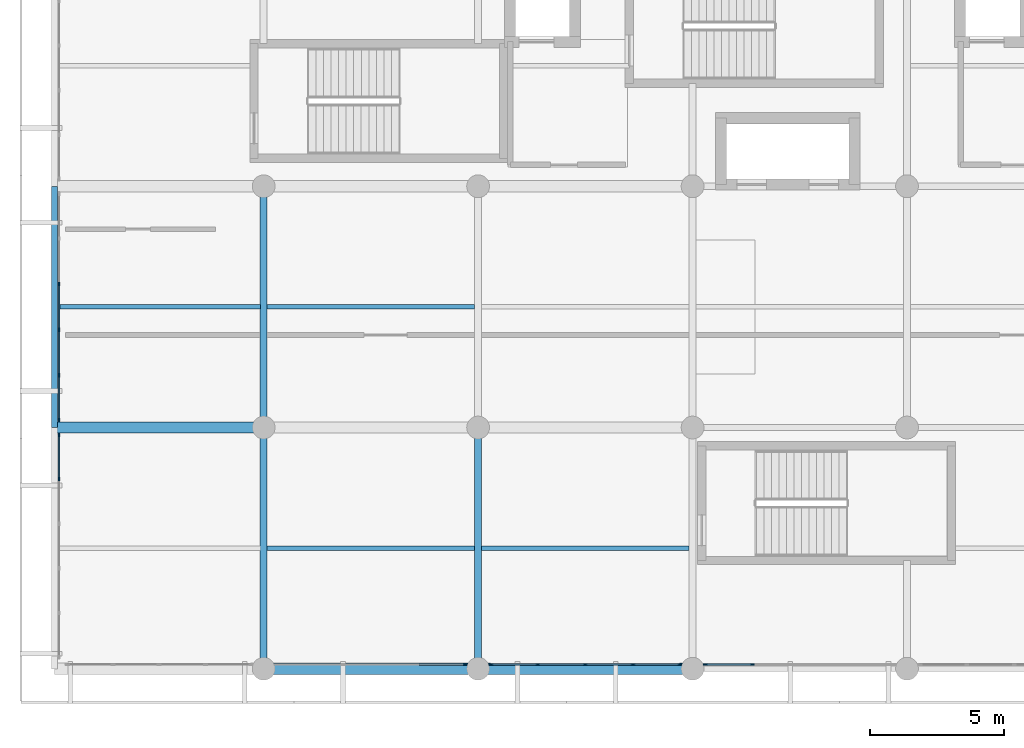
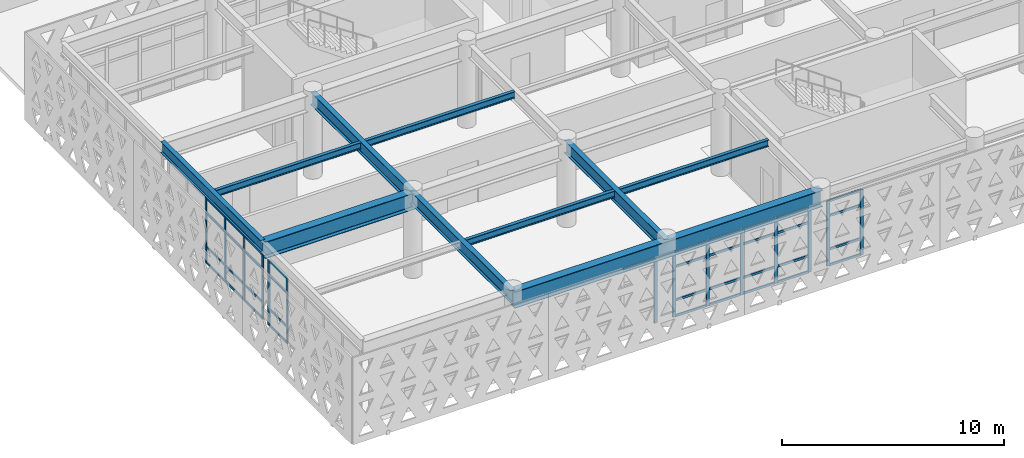
# One storey, part 7 of 54: 51 members, 10 beams, 5 elements without a shape of their own.
"""IFC4 building model written with IfcOpenShell, lengths in metres."""

from ifc_helpers import new_model, si_unit, direction, frame, origin, origin_2d, place, context, subcontext, project, spatial, rectangle, i_section, extrude, material, layer, layer_set, material_profile, profile_set, type_object, element, aggregate, save


model = new_model("IFC4")

# Units and contexts
model_context = context("Model", 3, precision=1e-05, world=origin(), true_north=direction((0.0, 1.0)))
body_context = subcontext(model_context, "Body", "Model", "MODEL_VIEW")
ifc_project = project(units=[si_unit("LENGTHUNIT", "METRE"), si_unit("AREAUNIT", "SQUARE_METRE"), si_unit("VOLUMEUNIT", "CUBIC_METRE"), si_unit("PLANEANGLEUNIT", "RADIAN"), si_unit("MASSUNIT", "GRAM", prefix="KILO")], contexts=[model_context])

# Site, building, storey
site_placement = place(None, origin())
site = spatial("IfcSite", under=ifc_project, at=site_placement, CompositionType="ELEMENT")
building_placement = place(site_placement, origin())
building = spatial("IfcBuilding", under=site, at=building_placement, Name="Tlacozan Convention Centre", CompositionType="ELEMENT")
storey_placement = place(building_placement, frame((0.0, 0.0, 11.39990234375)))
storey = spatial("IfcBuildingStorey", under=building, at=storey_placement, Name="L02", CompositionType="ELEMENT", Elevation=11.39990234375)

# Beam
ifc_material_1 = material(Name="Steel ASTM A992 Grade 50", Category="steel")
ifc_material_profile_1 = material_profile(ifc_material_1, i_section(OverallWidth=0.41796875, OverallDepth=0.912109375, WebThickness=0.019287109375, FlangeThickness=0.031982421875, FilletRadius=0.02001953125, at=origin_2d()), Name="IR 914x342.0")
ifc_profile_set_1 = profile_set([ifc_material_profile_1], Name="Steel ASTM A992 Grade 50")
beam_type_1 = type_object("IfcBeamType", Name="Cantilever Girder IR 914x342", PredefinedType="BEAM", material=ifc_profile_set_1)
beam_1_placement = place(storey_placement, frame((8.0, 9.0, 4.093994140625), z_axis=(-1.0, 0.0, 0.0), x_axis=(0.0, -1.0, 0.0)))
element("IfcBeam", 1, at=beam_1_placement, inside=storey, type_object=beam_type_1, Name="L02 Cantilever Girder IR 914x342 453", PredefinedType="BEAM", context=body_context, shape_type="SweptSolid", body=[
    extrude(i_section(OverallWidth=0.41796875, OverallDepth=0.912109375, WebThickness=0.019287109375, FlangeThickness=0.031982421875, FilletRadius=0.02001953125, at=origin_2d()), origin(), (0.0, 0.0, 1.0), 7.800048828125),
])

# Curtain wall, members
ifc_material_2 = material(Name="Dark Bronze Anodised Aluminium", Category="aluminium")
ifc_layer_1 = layer(ifc_material_2, 0.159912109375)
ifc_layer_set_1 = layer_set([ifc_layer_1], Name="Dark Bronze Anodised Aluminium")
curtain_wall_type_1 = type_object("IfcCurtainWallType", Name="Unitised Congress Gable End CW06", PredefinedType="NOTDEFINED", material=ifc_layer_set_1)
curtain_wall_1_placement = place(storey_placement, origin())
curtain_wall_1 = element("IfcCurtainWall", 2, at=curtain_wall_1_placement, inside=storey, type_object=curtain_wall_type_1, Name="L02 CW-06 Run 96", PredefinedType="NOTDEFINED")
ifc_material_profile_2 = material_profile(ifc_material_2, rectangle(XDim=0.06005859375, YDim=0.139892578125, at=origin_2d()), Name="ALU 60x140")
ifc_profile_set_2 = profile_set([ifc_material_profile_2], Name="Dark Bronze Anodised Aluminium")
member_type_1 = type_object("IfcMemberType", Name="Curtain Wall Light Mullion 60x140", PredefinedType="MULLION", material=ifc_profile_set_2)
member_1_placement = place(storey_placement, frame((0.360107421875, 7.08203125, 0.0), z_axis=(0.0, 0.0, 1.0), x_axis=(-1.0, 0.0, 0.0)))
member_1 = element("IfcMember", 3, at=member_1_placement, type_object=member_type_1, Name="CW-06 mullion 5", PredefinedType="MULLION", context=body_context, shape_type="SweptSolid", body=[
    extrude(rectangle(XDim=0.06005859375, YDim=0.139892578125, at=origin_2d()), origin(), (0.0, 0.0, 1.0), 3.590087890625),
])
member_2_placement = place(storey_placement, frame((0.360107421875, 8.719970703125, 0.0), z_axis=(0.0, 0.0, 1.0), x_axis=(-1.0, 0.0, 0.0)))
member_2 = element("IfcMember", 4, at=member_2_placement, type_object=member_type_1, Name="CW-06 mullion 6", PredefinedType="MULLION", context=body_context, shape_type="SweptSolid", body=[
    extrude(rectangle(XDim=0.06005859375, YDim=0.139892578125, at=origin_2d()), origin(), (0.0, 0.0, 1.0), 3.590087890625),
])

curtain_wall_2_placement = place(storey_placement, origin())
curtain_wall_2 = element("IfcCurtainWall", 5, at=curtain_wall_2_placement, inside=storey, type_object=curtain_wall_type_1, Name="L02 CW-06 Run 98", PredefinedType="NOTDEFINED")
member_3_placement = place(storey_placement, frame((0.360107421875, 9.280029296875, 0.0), z_axis=(0.0, 0.0, 1.0), x_axis=(-1.0, 0.0, 0.0)))
member_3 = element("IfcMember", 6, at=member_3_placement, type_object=member_type_1, Name="CW-06 mullion 1", PredefinedType="MULLION", context=body_context, shape_type="SweptSolid", body=[
    extrude(rectangle(XDim=0.06005859375, YDim=0.139892578125, at=origin_2d()), origin(), (0.0, 0.0, 1.0), 3.590087890625),
])
member_4_placement = place(storey_placement, frame((0.360107421875, 10.949951171875, 0.0), z_axis=(0.0, 0.0, 1.0), x_axis=(-1.0, 0.0, 0.0)))
member_4 = element("IfcMember", 7, at=member_4_placement, type_object=member_type_1, Name="CW-06 mullion 2", PredefinedType="MULLION", context=body_context, shape_type="SweptSolid", body=[
    extrude(rectangle(XDim=0.06005859375, YDim=0.139892578125, at=origin_2d()), origin(), (0.0, 0.0, 1.0), 3.590087890625),
])
member_5_placement = place(storey_placement, frame((0.360107421875, 12.64990234375, 0.0), z_axis=(0.0, 0.0, 1.0), x_axis=(-1.0, 0.0, 0.0)))
member_5 = element("IfcMember", 8, at=member_5_placement, type_object=member_type_1, Name="CW-06 mullion 3", PredefinedType="MULLION", context=body_context, shape_type="SweptSolid", body=[
    extrude(rectangle(XDim=0.06005859375, YDim=0.139892578125, at=origin_2d()), origin(), (0.0, 0.0, 1.0), 3.590087890625),
])
member_6_placement = place(storey_placement, frame((0.360107421875, 14.35009765625, 0.0), z_axis=(0.0, 0.0, 1.0), x_axis=(-1.0, 0.0, 0.0)))
member_6 = element("IfcMember", 9, at=member_6_placement, type_object=member_type_1, Name="CW-06 mullion 4", PredefinedType="MULLION", context=body_context, shape_type="SweptSolid", body=[
    extrude(rectangle(XDim=0.06005859375, YDim=0.139892578125, at=origin_2d()), origin(), (0.0, 0.0, 1.0), 3.590087890625),
])

# Member
ifc_material_profile_3 = material_profile(ifc_material_2, rectangle(XDim=0.06005859375, YDim=0.110107421875, at=origin_2d()), Name="ALU 60x110")
ifc_profile_set_3 = profile_set([ifc_material_profile_3], Name="Dark Bronze Anodised Aluminium")
member_type_2 = type_object("IfcMemberType", Name="Curtain Wall Light Transom 60x110", PredefinedType="USERDEFINED", material=ifc_profile_set_3)
member_7_placement = place(storey_placement, frame((0.360107421875, 7.112060546875, 0.030029296875), z_axis=(0.0, 1.0, 0.0), x_axis=(-1.0, 0.0, 0.0)))
member_7 = element("IfcMember", 10, at=member_7_placement, type_object=member_type_2, Name="CW-06 transom 5.1", ObjectType="TRANSOM", PredefinedType="USERDEFINED", context=body_context, shape_type="SweptSolid", body=[
    extrude(rectangle(XDim=0.06005859375, YDim=0.110107421875, at=origin_2d()), origin(), (0.0, 0.0, 1.0), 1.577880859375),
])

member_8_placement = place(storey_placement, frame((0.360107421875, 7.112060546875, 0.900146484375), z_axis=(0.0, 1.0, 0.0), x_axis=(-1.0, 0.0, 0.0)))
member_8 = element("IfcMember", 11, at=member_8_placement, type_object=member_type_2, Name="CW-06 transom 5.2", ObjectType="TRANSOM", PredefinedType="USERDEFINED", context=body_context, shape_type="SweptSolid", body=[
    extrude(rectangle(XDim=0.06005859375, YDim=0.110107421875, at=origin_2d()), origin(), (0.0, 0.0, 1.0), 1.577880859375),
])

member_9_placement = place(storey_placement, frame((0.360107421875, 7.112060546875, 2.739990234375), z_axis=(0.0, 1.0, 0.0), x_axis=(-1.0, 0.0, 0.0)))
member_9 = element("IfcMember", 12, at=member_9_placement, type_object=member_type_2, Name="CW-06 transom 5.3", ObjectType="TRANSOM", PredefinedType="USERDEFINED", context=body_context, shape_type="SweptSolid", body=[
    extrude(rectangle(XDim=0.06005859375, YDim=0.110107421875, at=origin_2d()), origin(), (0.0, 0.0, 1.0), 1.577880859375),
])

member_10_placement = place(storey_placement, frame((0.360107421875, 7.112060546875, 3.56005859375), z_axis=(0.0, 1.0, 0.0), x_axis=(-1.0, 0.0, 0.0)))
member_10 = element("IfcMember", 13, at=member_10_placement, type_object=member_type_2, Name="CW-06 transom 5.4", ObjectType="TRANSOM", PredefinedType="USERDEFINED", context=body_context, shape_type="SweptSolid", body=[
    extrude(rectangle(XDim=0.06005859375, YDim=0.110107421875, at=origin_2d()), origin(), (0.0, 0.0, 1.0), 1.577880859375),
])

aggregate(curtain_wall_1, [member_1, member_2, member_7, member_8, member_9, member_10])

member_11_placement = place(storey_placement, frame((0.360107421875, 9.31005859375, 0.030029296875), z_axis=(0.0, 1.0, 0.0), x_axis=(-1.0, 0.0, 0.0)))
member_11 = element("IfcMember", 14, at=member_11_placement, type_object=member_type_2, Name="CW-06 transom 1.1", ObjectType="TRANSOM", PredefinedType="USERDEFINED", context=body_context, shape_type="SweptSolid", body=[
    extrude(rectangle(XDim=0.06005859375, YDim=0.110107421875, at=origin_2d()), origin(), (0.0, 0.0, 1.0), 1.60986328125),
])

member_12_placement = place(storey_placement, frame((0.360107421875, 9.31005859375, 0.900146484375), z_axis=(0.0, 1.0, 0.0), x_axis=(-1.0, 0.0, 0.0)))
member_12 = element("IfcMember", 15, at=member_12_placement, type_object=member_type_2, Name="CW-06 transom 1.2", ObjectType="TRANSOM", PredefinedType="USERDEFINED", context=body_context, shape_type="SweptSolid", body=[
    extrude(rectangle(XDim=0.06005859375, YDim=0.110107421875, at=origin_2d()), origin(), (0.0, 0.0, 1.0), 1.60986328125),
])

member_13_placement = place(storey_placement, frame((0.360107421875, 9.31005859375, 2.739990234375), z_axis=(0.0, 1.0, 0.0), x_axis=(-1.0, 0.0, 0.0)))
member_13 = element("IfcMember", 16, at=member_13_placement, type_object=member_type_2, Name="CW-06 transom 1.3", ObjectType="TRANSOM", PredefinedType="USERDEFINED", context=body_context, shape_type="SweptSolid", body=[
    extrude(rectangle(XDim=0.06005859375, YDim=0.110107421875, at=origin_2d()), origin(), (0.0, 0.0, 1.0), 1.60986328125),
])

member_14_placement = place(storey_placement, frame((0.360107421875, 9.31005859375, 3.56005859375), z_axis=(0.0, 1.0, 0.0), x_axis=(-1.0, 0.0, 0.0)))
member_14 = element("IfcMember", 17, at=member_14_placement, type_object=member_type_2, Name="CW-06 transom 1.4", ObjectType="TRANSOM", PredefinedType="USERDEFINED", context=body_context, shape_type="SweptSolid", body=[
    extrude(rectangle(XDim=0.06005859375, YDim=0.110107421875, at=origin_2d()), origin(), (0.0, 0.0, 1.0), 1.60986328125),
])

member_15_placement = place(storey_placement, frame((0.360107421875, 10.97998046875, 0.030029296875), z_axis=(0.0, 1.0, 0.0), x_axis=(-1.0, 0.0, 0.0)))
member_15 = element("IfcMember", 18, at=member_15_placement, type_object=member_type_2, Name="CW-06 transom 2.1", ObjectType="TRANSOM", PredefinedType="USERDEFINED", context=body_context, shape_type="SweptSolid", body=[
    extrude(rectangle(XDim=0.06005859375, YDim=0.110107421875, at=origin_2d()), origin(), (0.0, 0.0, 1.0), 1.64013671875),
])

member_16_placement = place(storey_placement, frame((0.360107421875, 10.97998046875, 0.900146484375), z_axis=(0.0, 1.0, 0.0), x_axis=(-1.0, 0.0, 0.0)))
member_16 = element("IfcMember", 19, at=member_16_placement, type_object=member_type_2, Name="CW-06 transom 2.2", ObjectType="TRANSOM", PredefinedType="USERDEFINED", context=body_context, shape_type="SweptSolid", body=[
    extrude(rectangle(XDim=0.06005859375, YDim=0.110107421875, at=origin_2d()), origin(), (0.0, 0.0, 1.0), 1.64013671875),
])

member_17_placement = place(storey_placement, frame((0.360107421875, 10.97998046875, 2.739990234375), z_axis=(0.0, 1.0, 0.0), x_axis=(-1.0, 0.0, 0.0)))
member_17 = element("IfcMember", 20, at=member_17_placement, type_object=member_type_2, Name="CW-06 transom 2.3", ObjectType="TRANSOM", PredefinedType="USERDEFINED", context=body_context, shape_type="SweptSolid", body=[
    extrude(rectangle(XDim=0.06005859375, YDim=0.110107421875, at=origin_2d()), origin(), (0.0, 0.0, 1.0), 1.64013671875),
])

member_18_placement = place(storey_placement, frame((0.360107421875, 10.97998046875, 3.56005859375), z_axis=(0.0, 1.0, 0.0), x_axis=(-1.0, 0.0, 0.0)))
member_18 = element("IfcMember", 21, at=member_18_placement, type_object=member_type_2, Name="CW-06 transom 2.4", ObjectType="TRANSOM", PredefinedType="USERDEFINED", context=body_context, shape_type="SweptSolid", body=[
    extrude(rectangle(XDim=0.06005859375, YDim=0.110107421875, at=origin_2d()), origin(), (0.0, 0.0, 1.0), 1.64013671875),
])

member_19_placement = place(storey_placement, frame((0.360107421875, 12.679931640625, 0.030029296875), z_axis=(0.0, 1.0, 0.0), x_axis=(-1.0, 0.0, 0.0)))
member_19 = element("IfcMember", 22, at=member_19_placement, type_object=member_type_2, Name="CW-06 transom 3.1", ObjectType="TRANSOM", PredefinedType="USERDEFINED", context=body_context, shape_type="SweptSolid", body=[
    extrude(rectangle(XDim=0.06005859375, YDim=0.110107421875, at=origin_2d()), origin(), (0.0, 0.0, 1.0), 1.64013671875),
])

member_20_placement = place(storey_placement, frame((0.360107421875, 12.679931640625, 0.900146484375), z_axis=(0.0, 1.0, 0.0), x_axis=(-1.0, 0.0, 0.0)))
member_20 = element("IfcMember", 23, at=member_20_placement, type_object=member_type_2, Name="CW-06 transom 3.2", ObjectType="TRANSOM", PredefinedType="USERDEFINED", context=body_context, shape_type="SweptSolid", body=[
    extrude(rectangle(XDim=0.06005859375, YDim=0.110107421875, at=origin_2d()), origin(), (0.0, 0.0, 1.0), 1.64013671875),
])

member_21_placement = place(storey_placement, frame((0.360107421875, 12.679931640625, 2.739990234375), z_axis=(0.0, 1.0, 0.0), x_axis=(-1.0, 0.0, 0.0)))
member_21 = element("IfcMember", 24, at=member_21_placement, type_object=member_type_2, Name="CW-06 transom 3.3", ObjectType="TRANSOM", PredefinedType="USERDEFINED", context=body_context, shape_type="SweptSolid", body=[
    extrude(rectangle(XDim=0.06005859375, YDim=0.110107421875, at=origin_2d()), origin(), (0.0, 0.0, 1.0), 1.64013671875),
])

member_22_placement = place(storey_placement, frame((0.360107421875, 12.679931640625, 3.56005859375), z_axis=(0.0, 1.0, 0.0), x_axis=(-1.0, 0.0, 0.0)))
member_22 = element("IfcMember", 25, at=member_22_placement, type_object=member_type_2, Name="CW-06 transom 3.4", ObjectType="TRANSOM", PredefinedType="USERDEFINED", context=body_context, shape_type="SweptSolid", body=[
    extrude(rectangle(XDim=0.06005859375, YDim=0.110107421875, at=origin_2d()), origin(), (0.0, 0.0, 1.0), 1.64013671875),
])

aggregate(curtain_wall_2, [member_3, member_4, member_5, member_6, member_11, member_12, member_13, member_14, member_15, member_16, member_17, member_18, member_19, member_20, member_21, member_22])

# Curtain wall, member
ifc_layer_2 = layer(ifc_material_2, 0.159912109375)
ifc_layer_set_2 = layer_set([ifc_layer_2], Name="Dark Bronze Anodised Aluminium")
curtain_wall_type_2 = type_object("IfcCurtainWallType", Name="Unitised Congress L02 South CW03", PredefinedType="NOTDEFINED", material=ifc_layer_set_2)
curtain_wall_3_placement = place(storey_placement, origin())
curtain_wall_3 = element("IfcCurtainWall", 26, at=curtain_wall_3_placement, inside=storey, type_object=curtain_wall_type_2, Name="L02 CW-03 Run 79", PredefinedType="NOTDEFINED")
ifc_material_profile_4 = material_profile(ifc_material_2, rectangle(XDim=0.06494140625, YDim=0.159912109375, at=origin_2d()), Name="ALU 65x160")
ifc_profile_set_4 = profile_set([ifc_material_profile_4], Name="Dark Bronze Anodised Aluminium")
member_type_3 = type_object("IfcMemberType", Name="Curtain Wall Mullion 65x160", PredefinedType="MULLION", material=ifc_profile_set_4)
member_23_placement = place(storey_placement, frame((15.517578125, 0.159912109375, 0.0), z_axis=(0.0, 0.0, 1.0), x_axis=(0.0, 1.0, 0.0)))
member_23 = element("IfcMember", 27, at=member_23_placement, type_object=member_type_3, Name="CW-03 mullion 5", PredefinedType="MULLION", context=body_context, shape_type="SweptSolid", body=[
    extrude(rectangle(XDim=0.06494140625, YDim=0.159912109375, at=origin_2d()), origin(), (0.0, 0.0, 1.0), 3.590087890625),
])

# Curtain wall, members
curtain_wall_4_placement = place(storey_placement, origin())
curtain_wall_4 = element("IfcCurtainWall", 28, at=curtain_wall_4_placement, inside=storey, type_object=curtain_wall_type_2, Name="L02 CW-03 Run 80", PredefinedType="NOTDEFINED")
member_24_placement = place(storey_placement, frame((16.482421875, 0.159912109375, 0.0), z_axis=(0.0, 0.0, 1.0), x_axis=(0.0, 1.0, 0.0)))
member_24 = element("IfcMember", 29, at=member_24_placement, type_object=member_type_3, Name="CW-03 mullion 1", PredefinedType="MULLION", context=body_context, shape_type="SweptSolid", body=[
    extrude(rectangle(XDim=0.06494140625, YDim=0.159912109375, at=origin_2d()), origin(), (0.0, 0.0, 1.0), 3.590087890625),
])
member_25_placement = place(storey_placement, frame((18.22509765625, 0.159912109375, 0.0), z_axis=(0.0, 0.0, 1.0), x_axis=(0.0, 1.0, 0.0)))
member_25 = element("IfcMember", 30, at=member_25_placement, type_object=member_type_3, Name="CW-03 mullion 2", PredefinedType="MULLION", context=body_context, shape_type="SweptSolid", body=[
    extrude(rectangle(XDim=0.06494140625, YDim=0.159912109375, at=origin_2d()), origin(), (0.0, 0.0, 1.0), 3.590087890625),
])
member_26_placement = place(storey_placement, frame((20.0, 0.159912109375, 0.0), z_axis=(0.0, 0.0, 1.0), x_axis=(0.0, 1.0, 0.0)))
member_26 = element("IfcMember", 31, at=member_26_placement, type_object=member_type_3, Name="CW-03 mullion 3", PredefinedType="MULLION", context=body_context, shape_type="SweptSolid", body=[
    extrude(rectangle(XDim=0.06494140625, YDim=0.159912109375, at=origin_2d()), origin(), (0.0, 0.0, 1.0), 3.590087890625),
])
member_27_placement = place(storey_placement, frame((21.77490234375, 0.159912109375, 0.0), z_axis=(0.0, 0.0, 1.0), x_axis=(0.0, 1.0, 0.0)))
member_27 = element("IfcMember", 32, at=member_27_placement, type_object=member_type_3, Name="CW-03 mullion 4", PredefinedType="MULLION", context=body_context, shape_type="SweptSolid", body=[
    extrude(rectangle(XDim=0.06494140625, YDim=0.159912109375, at=origin_2d()), origin(), (0.0, 0.0, 1.0), 3.590087890625),
])
member_28_placement = place(storey_placement, frame((23.517578125, 0.159912109375, 0.0), z_axis=(0.0, 0.0, 1.0), x_axis=(0.0, 1.0, 0.0)))
member_28 = element("IfcMember", 33, at=member_28_placement, type_object=member_type_3, Name="CW-03 mullion 5", PredefinedType="MULLION", context=body_context, shape_type="SweptSolid", body=[
    extrude(rectangle(XDim=0.06494140625, YDim=0.159912109375, at=origin_2d()), origin(), (0.0, 0.0, 1.0), 3.590087890625),
])

curtain_wall_5_placement = place(storey_placement, origin())
curtain_wall_5 = element("IfcCurtainWall", 34, at=curtain_wall_5_placement, inside=storey, type_object=curtain_wall_type_2, Name="L02 CW-03 Run 81", PredefinedType="NOTDEFINED")
member_29_placement = place(storey_placement, frame((24.482421875, 0.159912109375, 0.0), z_axis=(0.0, 0.0, 1.0), x_axis=(0.0, 1.0, 0.0)))
member_29 = element("IfcMember", 35, at=member_29_placement, type_object=member_type_3, Name="CW-03 mullion 1", PredefinedType="MULLION", context=body_context, shape_type="SweptSolid", body=[
    extrude(rectangle(XDim=0.06494140625, YDim=0.159912109375, at=origin_2d()), origin(), (0.0, 0.0, 1.0), 3.590087890625),
])
member_30_placement = place(storey_placement, frame((26.22509765625, 0.159912109375, 0.0), z_axis=(0.0, 0.0, 1.0), x_axis=(0.0, 1.0, 0.0)))
member_30 = element("IfcMember", 36, at=member_30_placement, type_object=member_type_3, Name="CW-03 mullion 2", PredefinedType="MULLION", context=body_context, shape_type="SweptSolid", body=[
    extrude(rectangle(XDim=0.06494140625, YDim=0.159912109375, at=origin_2d()), origin(), (0.0, 0.0, 1.0), 3.590087890625),
])

# Member
ifc_material_profile_5 = material_profile(ifc_material_2, rectangle(XDim=0.06494140625, YDim=0.125, at=origin_2d()), Name="ALU 65x125")
ifc_profile_set_5 = profile_set([ifc_material_profile_5], Name="Dark Bronze Anodised Aluminium")
member_type_4 = type_object("IfcMemberType", Name="Curtain Wall Transom 65x125", PredefinedType="USERDEFINED", material=ifc_profile_set_5)
member_31_placement = place(storey_placement, frame((13.8076171875, 0.159912109375, 3.5576171875), z_axis=(1.0, 0.0, 0.0), x_axis=(0.0, 1.0, 0.0)))
member_31 = element("IfcMember", 37, at=member_31_placement, type_object=member_type_4, Name="CW-03 transom 4.4", ObjectType="TRANSOM", PredefinedType="USERDEFINED", context=body_context, shape_type="SweptSolid", body=[
    extrude(rectangle(XDim=0.06494140625, YDim=0.125, at=origin_2d()), origin(), (0.0, 0.0, 1.0), 1.677490234375),
])

aggregate(curtain_wall_3, [member_23, member_31])

member_32_placement = place(storey_placement, frame((16.514892578125, 0.159912109375, 0.03271484375), z_axis=(1.0, 0.0, 0.0), x_axis=(0.0, 1.0, 0.0)))
member_32 = element("IfcMember", 38, at=member_32_placement, type_object=member_type_4, Name="CW-03 transom 1.1", ObjectType="TRANSOM", PredefinedType="USERDEFINED", context=body_context, shape_type="SweptSolid", body=[
    extrude(rectangle(XDim=0.06494140625, YDim=0.125, at=origin_2d()), origin(), (0.0, 0.0, 1.0), 1.677490234375),
])

member_33_placement = place(storey_placement, frame((16.514892578125, 0.159912109375, 0.900146484375), z_axis=(1.0, 0.0, 0.0), x_axis=(0.0, 1.0, 0.0)))
member_33 = element("IfcMember", 39, at=member_33_placement, type_object=member_type_4, Name="CW-03 transom 1.2", ObjectType="TRANSOM", PredefinedType="USERDEFINED", context=body_context, shape_type="SweptSolid", body=[
    extrude(rectangle(XDim=0.06494140625, YDim=0.125, at=origin_2d()), origin(), (0.0, 0.0, 1.0), 1.677490234375),
])

member_34_placement = place(storey_placement, frame((16.514892578125, 0.159912109375, 2.739990234375), z_axis=(1.0, 0.0, 0.0), x_axis=(0.0, 1.0, 0.0)))
member_34 = element("IfcMember", 40, at=member_34_placement, type_object=member_type_4, Name="CW-03 transom 1.3", ObjectType="TRANSOM", PredefinedType="USERDEFINED", context=body_context, shape_type="SweptSolid", body=[
    extrude(rectangle(XDim=0.06494140625, YDim=0.125, at=origin_2d()), origin(), (0.0, 0.0, 1.0), 1.677490234375),
])

member_35_placement = place(storey_placement, frame((16.514892578125, 0.159912109375, 3.5576171875), z_axis=(1.0, 0.0, 0.0), x_axis=(0.0, 1.0, 0.0)))
member_35 = element("IfcMember", 41, at=member_35_placement, type_object=member_type_4, Name="CW-03 transom 1.4", ObjectType="TRANSOM", PredefinedType="USERDEFINED", context=body_context, shape_type="SweptSolid", body=[
    extrude(rectangle(XDim=0.06494140625, YDim=0.125, at=origin_2d()), origin(), (0.0, 0.0, 1.0), 1.677490234375),
])

member_36_placement = place(storey_placement, frame((18.257568359375, 0.159912109375, 0.03271484375), z_axis=(1.0, 0.0, 0.0), x_axis=(0.0, 1.0, 0.0)))
member_36 = element("IfcMember", 42, at=member_36_placement, type_object=member_type_4, Name="CW-03 transom 2.1", ObjectType="TRANSOM", PredefinedType="USERDEFINED", context=body_context, shape_type="SweptSolid", body=[
    extrude(rectangle(XDim=0.06494140625, YDim=0.125, at=origin_2d()), origin(), (0.0, 0.0, 1.0), 1.7099609375),
])

member_37_placement = place(storey_placement, frame((18.257568359375, 0.159912109375, 0.900146484375), z_axis=(1.0, 0.0, 0.0), x_axis=(0.0, 1.0, 0.0)))
member_37 = element("IfcMember", 43, at=member_37_placement, type_object=member_type_4, Name="CW-03 transom 2.2", ObjectType="TRANSOM", PredefinedType="USERDEFINED", context=body_context, shape_type="SweptSolid", body=[
    extrude(rectangle(XDim=0.06494140625, YDim=0.125, at=origin_2d()), origin(), (0.0, 0.0, 1.0), 1.7099609375),
])

member_38_placement = place(storey_placement, frame((18.257568359375, 0.159912109375, 2.739990234375), z_axis=(1.0, 0.0, 0.0), x_axis=(0.0, 1.0, 0.0)))
member_38 = element("IfcMember", 44, at=member_38_placement, type_object=member_type_4, Name="CW-03 transom 2.3", ObjectType="TRANSOM", PredefinedType="USERDEFINED", context=body_context, shape_type="SweptSolid", body=[
    extrude(rectangle(XDim=0.06494140625, YDim=0.125, at=origin_2d()), origin(), (0.0, 0.0, 1.0), 1.7099609375),
])

member_39_placement = place(storey_placement, frame((18.257568359375, 0.159912109375, 3.5576171875), z_axis=(1.0, 0.0, 0.0), x_axis=(0.0, 1.0, 0.0)))
member_39 = element("IfcMember", 45, at=member_39_placement, type_object=member_type_4, Name="CW-03 transom 2.4", ObjectType="TRANSOM", PredefinedType="USERDEFINED", context=body_context, shape_type="SweptSolid", body=[
    extrude(rectangle(XDim=0.06494140625, YDim=0.125, at=origin_2d()), origin(), (0.0, 0.0, 1.0), 1.7099609375),
])

member_40_placement = place(storey_placement, frame((20.032470703125, 0.159912109375, 0.03271484375), z_axis=(1.0, 0.0, 0.0), x_axis=(0.0, 1.0, 0.0)))
member_40 = element("IfcMember", 46, at=member_40_placement, type_object=member_type_4, Name="CW-03 transom 3.1", ObjectType="TRANSOM", PredefinedType="USERDEFINED", context=body_context, shape_type="SweptSolid", body=[
    extrude(rectangle(XDim=0.06494140625, YDim=0.125, at=origin_2d()), origin(), (0.0, 0.0, 1.0), 1.7099609375),
])

member_41_placement = place(storey_placement, frame((20.032470703125, 0.159912109375, 0.900146484375), z_axis=(1.0, 0.0, 0.0), x_axis=(0.0, 1.0, 0.0)))
member_41 = element("IfcMember", 47, at=member_41_placement, type_object=member_type_4, Name="CW-03 transom 3.2", ObjectType="TRANSOM", PredefinedType="USERDEFINED", context=body_context, shape_type="SweptSolid", body=[
    extrude(rectangle(XDim=0.06494140625, YDim=0.125, at=origin_2d()), origin(), (0.0, 0.0, 1.0), 1.7099609375),
])

member_42_placement = place(storey_placement, frame((20.032470703125, 0.159912109375, 2.739990234375), z_axis=(1.0, 0.0, 0.0), x_axis=(0.0, 1.0, 0.0)))
member_42 = element("IfcMember", 48, at=member_42_placement, type_object=member_type_4, Name="CW-03 transom 3.3", ObjectType="TRANSOM", PredefinedType="USERDEFINED", context=body_context, shape_type="SweptSolid", body=[
    extrude(rectangle(XDim=0.06494140625, YDim=0.125, at=origin_2d()), origin(), (0.0, 0.0, 1.0), 1.7099609375),
])

member_43_placement = place(storey_placement, frame((20.032470703125, 0.159912109375, 3.5576171875), z_axis=(1.0, 0.0, 0.0), x_axis=(0.0, 1.0, 0.0)))
member_43 = element("IfcMember", 49, at=member_43_placement, type_object=member_type_4, Name="CW-03 transom 3.4", ObjectType="TRANSOM", PredefinedType="USERDEFINED", context=body_context, shape_type="SweptSolid", body=[
    extrude(rectangle(XDim=0.06494140625, YDim=0.125, at=origin_2d()), origin(), (0.0, 0.0, 1.0), 1.7099609375),
])

member_44_placement = place(storey_placement, frame((21.8076171875, 0.159912109375, 0.03271484375), z_axis=(1.0, 0.0, 0.0), x_axis=(0.0, 1.0, 0.0)))
member_44 = element("IfcMember", 50, at=member_44_placement, type_object=member_type_4, Name="CW-03 transom 4.1", ObjectType="TRANSOM", PredefinedType="USERDEFINED", context=body_context, shape_type="SweptSolid", body=[
    extrude(rectangle(XDim=0.06494140625, YDim=0.125, at=origin_2d()), origin(), (0.0, 0.0, 1.0), 1.677490234375),
])

member_45_placement = place(storey_placement, frame((21.8076171875, 0.159912109375, 0.900146484375), z_axis=(1.0, 0.0, 0.0), x_axis=(0.0, 1.0, 0.0)))
member_45 = element("IfcMember", 51, at=member_45_placement, type_object=member_type_4, Name="CW-03 transom 4.2", ObjectType="TRANSOM", PredefinedType="USERDEFINED", context=body_context, shape_type="SweptSolid", body=[
    extrude(rectangle(XDim=0.06494140625, YDim=0.125, at=origin_2d()), origin(), (0.0, 0.0, 1.0), 1.677490234375),
])

member_46_placement = place(storey_placement, frame((21.8076171875, 0.159912109375, 2.739990234375), z_axis=(1.0, 0.0, 0.0), x_axis=(0.0, 1.0, 0.0)))
member_46 = element("IfcMember", 52, at=member_46_placement, type_object=member_type_4, Name="CW-03 transom 4.3", ObjectType="TRANSOM", PredefinedType="USERDEFINED", context=body_context, shape_type="SweptSolid", body=[
    extrude(rectangle(XDim=0.06494140625, YDim=0.125, at=origin_2d()), origin(), (0.0, 0.0, 1.0), 1.677490234375),
])

member_47_placement = place(storey_placement, frame((21.8076171875, 0.159912109375, 3.5576171875), z_axis=(1.0, 0.0, 0.0), x_axis=(0.0, 1.0, 0.0)))
member_47 = element("IfcMember", 53, at=member_47_placement, type_object=member_type_4, Name="CW-03 transom 4.4", ObjectType="TRANSOM", PredefinedType="USERDEFINED", context=body_context, shape_type="SweptSolid", body=[
    extrude(rectangle(XDim=0.06494140625, YDim=0.125, at=origin_2d()), origin(), (0.0, 0.0, 1.0), 1.677490234375),
])

aggregate(curtain_wall_4, [member_24, member_25, member_26, member_27, member_28, member_32, member_33, member_34, member_35, member_36, member_37, member_38, member_39, member_40, member_41, member_42, member_43, member_44, member_45, member_46, member_47])

member_48_placement = place(storey_placement, frame((24.514892578125, 0.159912109375, 0.03271484375), z_axis=(1.0, 0.0, 0.0), x_axis=(0.0, 1.0, 0.0)))
member_48 = element("IfcMember", 54, at=member_48_placement, type_object=member_type_4, Name="CW-03 transom 1.1", ObjectType="TRANSOM", PredefinedType="USERDEFINED", context=body_context, shape_type="SweptSolid", body=[
    extrude(rectangle(XDim=0.06494140625, YDim=0.125, at=origin_2d()), origin(), (0.0, 0.0, 1.0), 1.677490234375),
])

member_49_placement = place(storey_placement, frame((24.514892578125, 0.159912109375, 0.900146484375), z_axis=(1.0, 0.0, 0.0), x_axis=(0.0, 1.0, 0.0)))
member_49 = element("IfcMember", 55, at=member_49_placement, type_object=member_type_4, Name="CW-03 transom 1.2", ObjectType="TRANSOM", PredefinedType="USERDEFINED", context=body_context, shape_type="SweptSolid", body=[
    extrude(rectangle(XDim=0.06494140625, YDim=0.125, at=origin_2d()), origin(), (0.0, 0.0, 1.0), 1.677490234375),
])

member_50_placement = place(storey_placement, frame((24.514892578125, 0.159912109375, 2.739990234375), z_axis=(1.0, 0.0, 0.0), x_axis=(0.0, 1.0, 0.0)))
member_50 = element("IfcMember", 56, at=member_50_placement, type_object=member_type_4, Name="CW-03 transom 1.3", ObjectType="TRANSOM", PredefinedType="USERDEFINED", context=body_context, shape_type="SweptSolid", body=[
    extrude(rectangle(XDim=0.06494140625, YDim=0.125, at=origin_2d()), origin(), (0.0, 0.0, 1.0), 1.677490234375),
])

member_51_placement = place(storey_placement, frame((24.514892578125, 0.159912109375, 3.5576171875), z_axis=(1.0, 0.0, 0.0), x_axis=(0.0, 1.0, 0.0)))
member_51 = element("IfcMember", 57, at=member_51_placement, type_object=member_type_4, Name="CW-03 transom 1.4", ObjectType="TRANSOM", PredefinedType="USERDEFINED", context=body_context, shape_type="SweptSolid", body=[
    extrude(rectangle(XDim=0.06494140625, YDim=0.125, at=origin_2d()), origin(), (0.0, 0.0, 1.0), 1.677490234375),
])

aggregate(curtain_wall_5, [member_29, member_30, member_48, member_49, member_50, member_51])

# Beams
ifc_material_profile_6 = material_profile(ifc_material_1, i_section(OverallWidth=0.256103515625, OverallDepth=0.693115234375, WebThickness=0.014404296875, FlangeThickness=0.023681640625, FilletRadius=0.014892578125, at=origin_2d()), Name="IR 686x170.0")
ifc_profile_set_6 = profile_set([ifc_material_profile_6], Name="Steel ASTM A992 Grade 50")
beam_type_2 = type_object("IfcBeamType", Name="Girder Steel IR 686x170", PredefinedType="BEAM", material=ifc_profile_set_6)
for number, where, z_axis, x_axis, name in (
    (58, (8.0, 0.0, 4.20361328125), (0.0, 1.0, 0.0), (-1.0, 0.0, 0.0), "L02 Girder Steel IR 686x170 400"),
    (59, (8.0, 9.0, 4.20361328125), (0.0, 1.0, 0.0), (-1.0, 0.0, 0.0), "L02 Girder Steel IR 686x170 401"),
    (60, (16.0, 0.0, 4.20361328125), (0.0, 1.0, 0.0), (-1.0, 0.0, 0.0), "L02 Girder Steel IR 686x170 403"),
):
    element("IfcBeam", number, at=place(storey_placement, frame(where, z_axis=z_axis, x_axis=x_axis)), inside=storey, type_object=beam_type_2, Name=name, PredefinedType="BEAM", context=body_context, shape_type="SweptSolid", body=[
        extrude(i_section(OverallWidth=0.256103515625, OverallDepth=0.693115234375, WebThickness=0.014404296875, FlangeThickness=0.023681640625, FilletRadius=0.014892578125, at=origin_2d()), origin(), (0.0, 0.0, 1.0), 9.0),
    ])
ifc_material_profile_7 = material_profile(ifc_material_1, i_section(OverallWidth=0.22900390625, OverallDepth=0.612060546875, WebThickness=0.011962890625, FlangeThickness=0.01953125, FilletRadius=0.012939453125, at=origin_2d()), Name="IR 610x125.0")
ifc_profile_set_7 = profile_set([ifc_material_profile_7], Name="Steel ASTM A992 Grade 50")
beam_type_3 = type_object("IfcBeamType", Name="Perimeter Spandrel IR 610x125", PredefinedType="SPANDREL", material=ifc_profile_set_7)
beam_2_placement = place(storey_placement, frame((0.199951171875, 9.0, 4.244140625), z_axis=(0.0, 1.0, 0.0), x_axis=(-1.0, 0.0, 0.0)))
element("IfcBeam", 61, at=beam_2_placement, inside=storey, type_object=beam_type_3, Name="L02 Perimeter Spandrel IR 610x125 443", PredefinedType="SPANDREL", context=body_context, shape_type="SweptSolid", body=[
    extrude(i_section(OverallWidth=0.22900390625, OverallDepth=0.612060546875, WebThickness=0.011962890625, FlangeThickness=0.01953125, FilletRadius=0.012939453125, at=origin_2d()), origin(), (0.0, 0.0, 1.0), 9.0),
])
ifc_material_profile_8 = material_profile(ifc_material_1, i_section(OverallWidth=0.173095703125, OverallDepth=0.364013671875, WebThickness=0.009033203125, FlangeThickness=0.015625, FilletRadius=0.010009765625, at=origin_2d()), Name="IR 356x67.1")
ifc_profile_set_8 = profile_set([ifc_material_profile_8], Name="Steel ASTM A992 Grade 50")
beam_type_4 = type_object("IfcBeamType", Name="Secondary Joist IR 356x67.1", PredefinedType="JOIST", material=ifc_profile_set_8)
beam_3_placement = place(storey_placement, frame((0.325927734375, 13.5, 4.3681640625), z_axis=(1.0, 0.0, 0.0), x_axis=(0.0, 1.0, 0.0)))
element("IfcBeam", 62, at=beam_3_placement, inside=storey, type_object=beam_type_4, Name="L02 Secondary Joist IR 356x67.1 501", PredefinedType="JOIST", context=body_context, shape_type="SweptSolid", body=[
    extrude(i_section(OverallWidth=0.173095703125, OverallDepth=0.364013671875, WebThickness=0.009033203125, FlangeThickness=0.015625, FilletRadius=0.010009765625, at=origin_2d()), origin(), (0.0, 0.0, 1.0), 7.548095703125),
])
for number, where, z_axis, x_axis, name in (
    (63, (8.1259765625, 4.5, 4.3681640625), (1.0, 0.0, 0.0), (0.0, 1.0, 0.0), "L02 Secondary Joist IR 356x67.1 503"),
    (64, (8.1259765625, 13.5, 4.3681640625), (1.0, 0.0, 0.0), (0.0, 1.0, 0.0), "L02 Secondary Joist IR 356x67.1 504"),
    (65, (16.1259765625, 4.5, 4.3681640625), (1.0, 0.0, 0.0), (0.0, 1.0, 0.0), "L02 Secondary Joist IR 356x67.1 505"),
):
    element("IfcBeam", number, at=place(storey_placement, frame(where, z_axis=z_axis, x_axis=x_axis)), inside=storey, type_object=beam_type_4, Name=name, PredefinedType="JOIST", context=body_context, shape_type="SweptSolid", body=[
        extrude(i_section(OverallWidth=0.173095703125, OverallDepth=0.364013671875, WebThickness=0.009033203125, FlangeThickness=0.015625, FilletRadius=0.010009765625, at=origin_2d()), origin(), (0.0, 0.0, 1.0), 7.748046875),
    ])
ifc_material_profile_9 = material_profile(ifc_material_1, i_section(OverallWidth=0.41796875, OverallDepth=0.912109375, WebThickness=0.019287109375, FlangeThickness=0.031982421875, FilletRadius=0.02001953125, at=origin_2d()), Name="IR 914x342.0")
ifc_profile_set_9 = profile_set([ifc_material_profile_9], Name="Steel ASTM A992 Grade 50")
beam_type_5 = type_object("IfcBeamType", Name="Transfer Girder IR 914x342", PredefinedType="BEAM", material=ifc_profile_set_9)
beam_4_placement = place(storey_placement, frame((24.0, 0.0, 4.093994140625), z_axis=(-1.0, 0.0, 0.0), x_axis=(0.0, -1.0, 0.0)))
element("IfcBeam", 66, at=beam_4_placement, inside=storey, type_object=beam_type_5, Name="L02 Transfer Girder IR 914x342 448", PredefinedType="BEAM", context=body_context, shape_type="SweptSolid", body=[
    extrude(i_section(OverallWidth=0.41796875, OverallDepth=0.912109375, WebThickness=0.019287109375, FlangeThickness=0.031982421875, FilletRadius=0.02001953125, at=origin_2d()), origin(), (0.0, 0.0, 1.0), 16.0),
])

save(model, "model.ifc")
